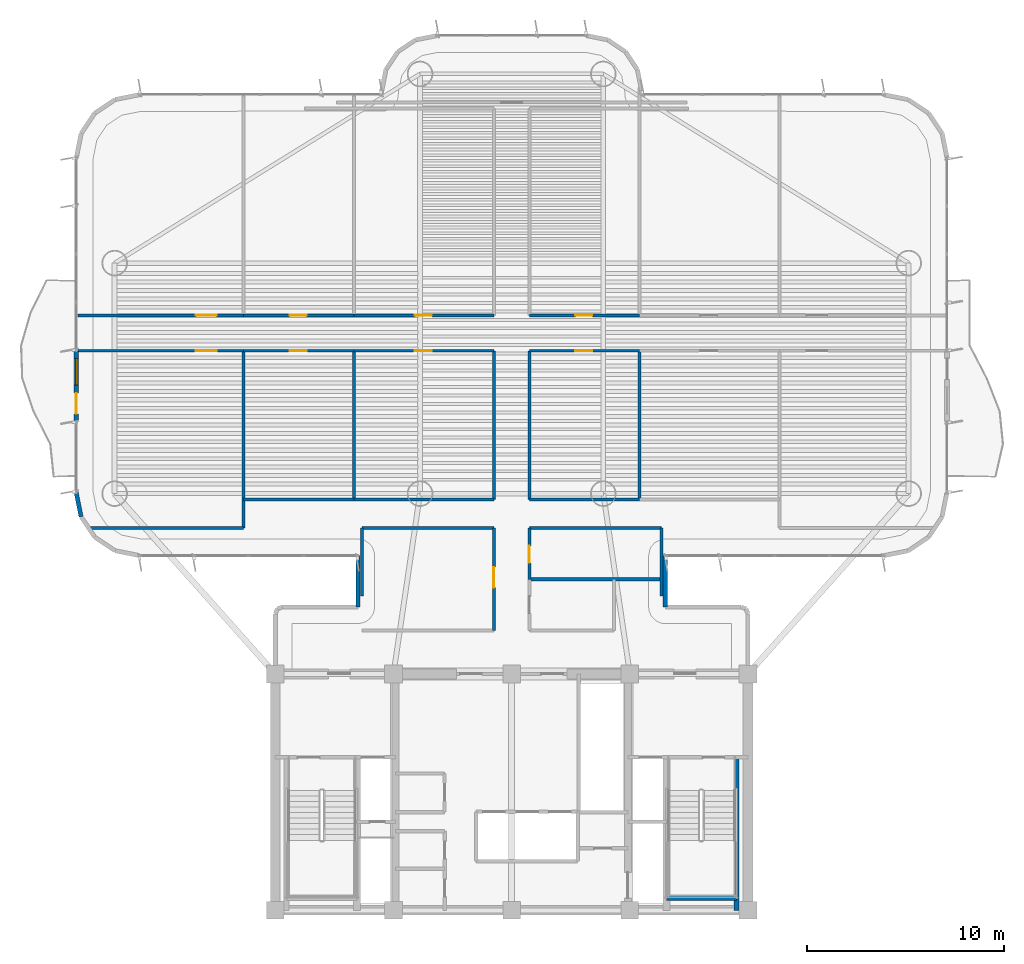
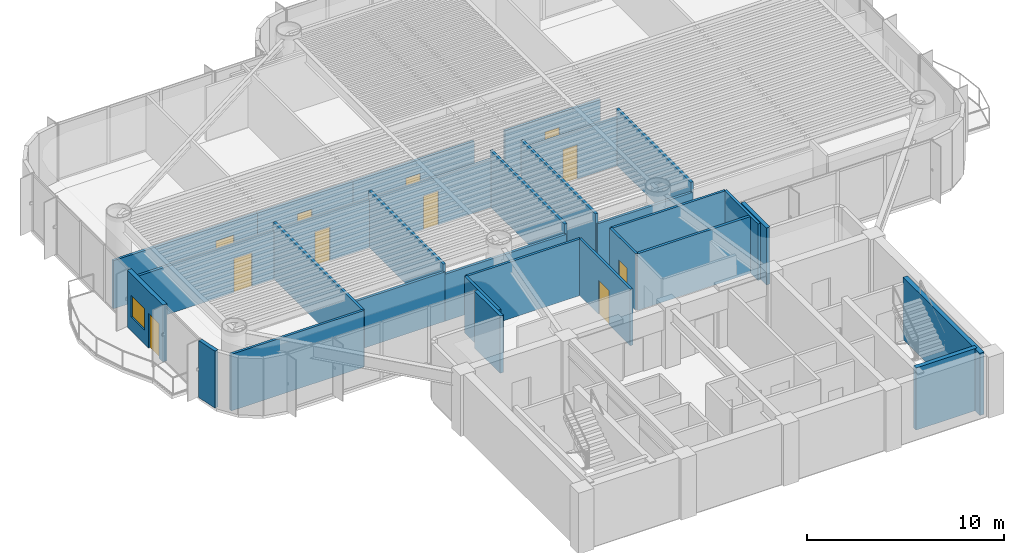
# One storey, part 10 of 16: 30 walls, 11 doors, 1 window, 12 openings.
"""IFC4 building model written with IfcOpenShell, lengths in metres."""

from ifc_helpers import new_model, si_unit, direction, frame, frame_2d, origin, origin_2d, place, context, subcontext, project, spatial, rectangle, extrude, source, transform, mapped, material, layer, layer_set, type_object, element, fill, save


model = new_model("IFC4")

# Units and contexts
model_context = context("Model", 3, precision=1e-05, world=origin(), true_north=direction((0.0, 1.0)))
body_context = subcontext(model_context, "Body", "Model", "MODEL_VIEW")
ifc_project = project(units=[si_unit("LENGTHUNIT", "METRE"), si_unit("AREAUNIT", "SQUARE_METRE"), si_unit("VOLUMEUNIT", "CUBIC_METRE"), si_unit("PLANEANGLEUNIT", "RADIAN"), si_unit("MASSUNIT", "GRAM", prefix="KILO")], contexts=[model_context])

# Site, building, storey
site_placement = place(None, origin())
site = spatial("IfcSite", under=ifc_project, at=site_placement, CompositionType="ELEMENT")
building_placement = place(site_placement, origin())
building = spatial("IfcBuilding", under=site, at=building_placement, Name="Brelvock Crest Care Tower", CompositionType="ELEMENT")
storey_placement = place(building_placement, frame((0.0, 0.0, 120.06005859375)))
storey = spatial("IfcBuildingStorey", under=building, at=storey_placement, Name="L30", CompositionType="ELEMENT", Elevation=120.06005859375)

# Walls
ifc_material_1 = material(Name="Concrete S80 (80 MPa)", Category="concrete")
ifc_layer_1 = layer(ifc_material_1, 0.25, Name="WL-CS6")
ifc_layer_set_1 = layer_set([ifc_layer_1], Name="Concrete S80 (80 MPa)")
wall_type_1 = type_object("IfcWallType", Name="WL-CS6", PredefinedType="SHEAR", material=ifc_layer_set_1)
wall_1_placement = place(storey_placement, frame((47.419921875, 6.0, 0.0), z_axis=(0.0, 0.0, 1.0), x_axis=(0.0, 1.0, 0.0)))
element("IfcWall", 1, at=wall_1_placement, inside=storey, type_object=wall_type_1, Name="L30 Core Stair ST-2 East Shear Wall", PredefinedType="SHEAR", context=body_context, shape_type="SweptSolid", body=[
    extrude(rectangle(XDim=7.780029296875, YDim=0.25, at=frame_2d((3.89013671875, 0.0))), origin(), (0.0, 0.0, 1.0), 3.849853515625),
])
wall_2_placement = place(storey_placement, frame((43.85009765625, 6.6201171875, 0.0), z_axis=(0.0, 0.0, 1.0), x_axis=(1.0, 0.0, 0.0)))
element("IfcWall", 2, at=wall_2_placement, inside=storey, type_object=wall_type_1, Name="L30 Core Stair ST-2 South Shear Wall", PredefinedType="SHEAR", context=body_context, shape_type="SweptSolid", body=[
    extrude(rectangle(XDim=3.56982421875, YDim=0.25, at=frame_2d((1.784912109375, 0.0))), origin(), (0.0, 0.0, 1.0), 3.849853515625),
])

# Wall, openings, door, window
ifc_material_2 = material(Name="Precast concrete N40 (40 MPa)", Category="concrete")
ifc_layer_2 = layer(ifc_material_2, 0.239990234375, Name="WL-EX1")
ifc_layer_set_2 = layer_set([ifc_layer_2], Name="Precast concrete N40 (40 MPa)")
wall_type_2 = type_object("IfcWallType", Name="WL-EX1", PredefinedType="SOLIDWALL", material=ifc_layer_set_2)
wall_3_placement = place(storey_placement, frame((13.89990234375, 30.800048828125, 0.0), z_axis=(0.0, 0.0, 1.0), x_axis=(0.0, 1.0, 0.0)))
wall_3 = element("IfcWall", 3, at=wall_3_placement, inside=storey, type_object=wall_type_2, Name="L30 Exterior Spandrel Wall WL-BAL-L30-W", PredefinedType="SOLIDWALL", context=body_context, shape_type="SweptSolid", body=[
    extrude(rectangle(XDim=3.599853515625, YDim=0.239990234375, at=frame_2d((1.7998046875, 0.0))), origin(), (0.0, 0.0, 1.0), 3.530029296875),
])
opening_1_placement = place(wall_3_placement, frame((0.39990234375, 0.0, 0.0)))
opening_1 = element("IfcOpeningElement", 4, at=opening_1_placement, cuts=wall_3, Name="Opening BD-1", PredefinedType="OPENING", context=body_context, shape_type="SweptSolid", body=[
    extrude(rectangle(XDim=1.050048828125, YDim=2.14990234375, at=origin_2d()), frame((0.52490234375, 0.1298828125, 1.074951171875), z_axis=(0.0, -1.0, 0.0), x_axis=(1.0, 0.0, 0.0)), (0.0, 0.0, 1.0), 0.260009765625),
])
opening_2_placement = place(wall_3_placement, frame((1.85009765625, 0.0, 0.85009765625)))
opening_2 = element("IfcOpeningElement", 5, at=opening_2_placement, cuts=wall_3, Name="Opening W-01", PredefinedType="OPENING", context=body_context, shape_type="SweptSolid", body=[
    extrude(rectangle(XDim=1.35009765625, YDim=1.35009765625, at=origin_2d()), frame((0.675048828125, 0.1298828125, 0.675048828125), z_axis=(0.0, -1.0, 0.0), x_axis=(1.0, 0.0, 0.0)), (0.0, 0.0, 1.0), 0.260009765625),
])
ifc_material_3 = material(Name="Dark Glass Double Glazed Low-E", Category="glass")
door_type_1 = type_object("IfcDoorType", Name="DR-BAL1", OperationType="NOTDEFINED", PredefinedType="DOOR", material=ifc_material_3)
shared_shape_1 = source(origin(), body_context, "Body", "SweptSolid", [
    extrude(rectangle(XDim=1.050048828125, YDim=2.14990234375, at=origin_2d()), frame((0.52490234375, 0.02490234375, 1.074951171875), z_axis=(0.0, -1.0, 0.0), x_axis=(1.0, 0.0, 0.0)), (0.0, 0.0, 1.0), 0.050048828125),
])
door_1_placement = place(opening_1_placement, origin())
door_1 = element("IfcDoor", 6, at=door_1_placement, inside=storey, type_object=door_type_1, Name="L30 W Wave Balcony Glazed Door", OperationType="SINGLE_SWING_LEFT", OverallHeight=2.14990234375, OverallWidth=1.050048828125, PredefinedType="DOOR", context=body_context, shape_type="MappedRepresentation", body=[
    mapped(shared_shape_1, transform((0.0, 0.0, 0.0), x_axis=(1.0, 0.0, 0.0), y_axis=(0.0, 1.0, 0.0), z_axis=(0.0, 0.0, 1.0), scale=1.0)),
])
fill(opening_1, door_1)
window_type = type_object("IfcWindowType", Name="WN-EX1", PartitioningType="SINGLE_PANEL", PredefinedType="WINDOW", material=ifc_material_3)
shared_shape_2 = source(origin(), body_context, "Body", "SweptSolid", [
    extrude(rectangle(XDim=1.35009765625, YDim=1.35009765625, at=origin_2d()), frame((0.675048828125, 0.030029296875, 0.675048828125), z_axis=(0.0, -1.0, 0.0), x_axis=(1.0, 0.0, 0.0)), (0.0, 0.0, 1.0), 0.06005859375),
])
window_placement = place(opening_2_placement, origin())
window = element("IfcWindow", 7, at=window_placement, inside=storey, type_object=window_type, Name="L30 W Suite Casement Window", OverallHeight=1.35009765625, OverallWidth=1.35009765625, PartitioningType="SINGLE_PANEL", PredefinedType="WINDOW", context=body_context, shape_type="MappedRepresentation", body=[
    mapped(shared_shape_2, transform((0.0, 0.0, 0.0), x_axis=(1.0, 0.0, 0.0), y_axis=(0.0, 1.0, 0.0), z_axis=(0.0, 0.0, 1.0), scale=1.0)),
])
fill(opening_2, window)

# Walls
ifc_layer_3 = layer(ifc_material_2, 0.215087890625, Name="WL-EX2")
ifc_layer_set_3 = layer_set([ifc_layer_3], Name="Precast concrete N40 (40 MPa)")
wall_type_3 = type_object("IfcWallType", Name="WL-EX2", PredefinedType="SOLIDWALL", material=ifc_layer_set_3)
wall_4_placement = place(storey_placement, frame((28.199951171875, 21.39990234375, 0.0), z_axis=(0.0, 0.0, 1.0), x_axis=(0.0, 1.0, 0.0)))
element("IfcWall", 8, at=wall_4_placement, inside=storey, type_object=wall_type_3, Name="L30 Rounded Corner Wall 11", PredefinedType="SOLIDWALL", context=body_context, shape_type="SweptSolid", body=[
    extrude(rectangle(XDim=2.60009765625, YDim=0.215087890625, at=frame_2d((1.300048828125, 0.0))), origin(), (0.0, 0.0, 1.0), 3.530029296875),
])
wall_5_placement = place(storey_placement, frame((14.1435546875, 25.975341796875, 0.0), z_axis=(0.0, 0.0, 1.0), x_axis=(-0.195138390419, 0.980775717779, 0.0)))
element("IfcWall", 9, at=wall_5_placement, inside=storey, type_object=wall_type_3, Name="L30 Rounded Corner Wall 16", PredefinedType="SOLIDWALL", context=body_context, shape_type="SweptSolid", body=[
    extrude(rectangle(XDim=1.24853515625, YDim=0.215087890625, at=frame_2d((0.624267578125, 0.0))), origin(), (0.0, 0.0, 1.0), 3.530029296875),
])
wall_6_placement = place(storey_placement, frame((43.800048828125, 24.0, 0.0), z_axis=(0.0, 0.0, 1.0), x_axis=(0.0, -1.0, 0.0)))
element("IfcWall", 10, at=wall_6_placement, inside=storey, type_object=wall_type_3, Name="L30 Rounded Corner Wall 45", PredefinedType="SOLIDWALL", context=body_context, shape_type="SweptSolid", body=[
    extrude(rectangle(XDim=2.60009765625, YDim=0.215087890625, at=frame_2d((1.300048828125, 0.0))), origin(), (0.0, 0.0, 1.0), 3.530029296875),
])
ifc_material_4 = material(Name="Masonry Blockwork Acoustic Partition", Category="masonry")
ifc_layer_4 = layer(ifc_material_4, 0.14990234375, Name="WL-INT1")
ifc_layer_set_4 = layer_set([ifc_layer_4], Name="Masonry Blockwork Acoustic Partition")
wall_type_4 = type_object("IfcWallType", Name="WL-INT1", PredefinedType="PARTITIONING", material=ifc_layer_set_4)
wall_7_placement = place(storey_placement, frame((14.624267578125, 25.39990234375, 0.0), z_axis=(0.0, 0.0, 1.0), x_axis=(1.0, 0.0, 0.0)))
element("IfcWall", 11, at=wall_7_placement, inside=storey, type_object=wall_type_4, Name="L30 Interior Wall WL-BX-L30-SW-S2", PredefinedType="PARTITIONING", context=body_context, shape_type="SweptSolid", body=[
    extrude(rectangle(XDim=7.775634765625, YDim=0.14990234375, at=frame_2d((3.8876953125, 0.0))), origin(), (0.0, 0.0, 1.0), 3.5),
])
for number, where, z_axis, x_axis, name in (
    (12, (28.39990234375, 25.39990234375, 0.0), (0.0, 0.0, 1.0), (1.0, 0.0, 0.0), "L30 Interior Wall WL-BX-L30-THW-N"),
    (13, (36.89990234375, 25.39990234375, 0.0), (0.0, 0.0, 1.0), (1.0, 0.0, 0.0), "L30 Interior Wall WL-BX-L30-THE2-N"),
):
    element("IfcWall", number, at=place(storey_placement, frame(where, z_axis=z_axis, x_axis=x_axis)), inside=storey, type_object=wall_type_4, Name=name, PredefinedType="PARTITIONING", context=body_context, shape_type="SweptSolid", body=[
        extrude(rectangle(XDim=6.7001953125, YDim=0.14990234375, at=frame_2d((3.35009765625, 0.0))), origin(), (0.0, 0.0, 1.0), 3.5),
    ])
wall_8_placement = place(storey_placement, frame((22.39990234375, 26.85009765625, 0.0), z_axis=(0.0, 0.0, 1.0), x_axis=(1.0, 0.0, 0.0)))
element("IfcWall", 14, at=wall_8_placement, inside=storey, type_object=wall_type_4, Name="L30 Interior Wall WL-BX-L30-ISW1-S", PredefinedType="PARTITIONING", context=body_context, shape_type="SweptSolid", body=[
    extrude(rectangle(XDim=5.588134765625, YDim=0.14990234375, at=frame_2d((2.7939453125, 0.0))), origin(), (0.0, 0.0, 1.0), 3.054931640625),
])
wall_9_placement = place(storey_placement, frame((27.988037109375, 26.85009765625, 0.0), z_axis=(0.0, 0.0, 1.0), x_axis=(1.0, 0.0, 0.0)))
element("IfcWall", 15, at=wall_9_placement, inside=storey, type_object=wall_type_4, Name="L30 Interior Wall WL-BX-L30-ISW2-S", PredefinedType="PARTITIONING", context=body_context, shape_type="SweptSolid", body=[
    extrude(rectangle(XDim=7.112060546875, YDim=0.14990234375, at=frame_2d((3.55615234375, 0.0))), origin(), (0.0, 0.0, 1.0), 2.90283203125),
])
wall_10_placement = place(storey_placement, frame((36.89990234375, 26.85009765625, 0.0), z_axis=(0.0, 0.0, 1.0), x_axis=(1.0, 0.0, 0.0)))
element("IfcWall", 16, at=wall_10_placement, inside=storey, type_object=wall_type_4, Name="L30 Interior Wall WL-BX-L30-ISE1-S", PredefinedType="PARTITIONING", context=body_context, shape_type="SweptSolid", body=[
    extrude(rectangle(XDim=5.588134765625, YDim=0.14990234375, at=frame_2d((2.7939453125, 0.0))), origin(), (0.0, 0.0, 1.0), 2.90283203125),
])

# Wall, opening, door
wall_11_placement = place(storey_placement, frame((13.97998046875, 34.39990234375, 0.0), z_axis=(0.0, 0.0, 1.0), x_axis=(1.0, 0.0, 0.0)))
wall_11 = element("IfcWall", 17, at=wall_11_placement, inside=storey, type_object=wall_type_4, Name="L30 Interior Wall WL-RM-L30-SW", PredefinedType="PARTITIONING", context=body_context, shape_type="SweptSolid", body=[
    extrude(rectangle(XDim=8.419921875, YDim=0.14990234375, at=frame_2d((4.2099609375, 0.0))), origin(), (0.0, 0.0, 1.0), 2.98193359375),
])
opening_3_placement = place(wall_11_placement, frame((5.9951171875, 0.0, 0.0)))
opening_3 = element("IfcOpeningElement", 18, at=opening_3_placement, cuts=wall_11, Name="Opening CLD-1", PredefinedType="OPENING", context=body_context, shape_type="SweptSolid", body=[
    extrude(rectangle(XDim=1.050048828125, YDim=2.10009765625, at=origin_2d()), frame((0.52490234375, 0.0849609375, 1.050048828125), z_axis=(0.0, -1.0, 0.0), x_axis=(1.0, 0.0, 0.0)), (0.0, 0.0, 1.0), 0.169921875),
])
ifc_material_5 = material(Name="Engineered Hardwood Timber", Category="wood")
door_type_2 = type_object("IfcDoorType", Name="DR-CLN1", OperationType="NOTDEFINED", PredefinedType="DOOR", material=ifc_material_5)
shared_shape_3 = source(origin(), body_context, "Body", "SweptSolid", [
    extrude(rectangle(XDim=1.050048828125, YDim=2.10009765625, at=origin_2d()), frame((0.52490234375, 0.02490234375, 1.050048828125), z_axis=(0.0, -1.0, 0.0), x_axis=(1.0, 0.0, 0.0)), (0.0, 0.0, 1.0), 0.050048828125),
])
door_2_placement = place(opening_3_placement, origin())
door_2 = element("IfcDoor", 19, at=door_2_placement, inside=storey, type_object=door_type_2, Name="L30 Senior Creative Art Workshop Door SW", OperationType="SINGLE_SWING_LEFT", OverallHeight=2.10009765625, OverallWidth=1.050048828125, PredefinedType="DOOR", context=body_context, shape_type="MappedRepresentation", body=[
    mapped(shared_shape_3, transform((0.0, 0.0, 0.0), x_axis=(1.0, 0.0, 0.0), y_axis=(0.0, 1.0, 0.0), z_axis=(0.0, 0.0, 1.0), scale=1.0)),
])
fill(opening_3, door_2)

wall_12_placement = place(storey_placement, frame((22.39990234375, 34.39990234375, 0.0), z_axis=(0.0, 0.0, 1.0), x_axis=(1.0, 0.0, 0.0)))
wall_12 = element("IfcWall", 20, at=wall_12_placement, inside=storey, type_object=wall_type_4, Name="L30 Interior Wall WL-RM-L30-ISW1", PredefinedType="PARTITIONING", context=body_context, shape_type="SweptSolid", body=[
    extrude(rectangle(XDim=5.588134765625, YDim=0.14990234375, at=frame_2d((2.7939453125, 0.0))), origin(), (0.0, 0.0, 1.0), 2.98193359375),
])
opening_4_placement = place(wall_12_placement, frame((2.333984375, 0.0, 0.0)))
opening_4 = element("IfcOpeningElement", 21, at=opening_4_placement, cuts=wall_12, Name="Opening ID-1", PredefinedType="OPENING", context=body_context, shape_type="SweptSolid", body=[
    extrude(rectangle(XDim=0.860107421875, YDim=2.10009765625, at=origin_2d()), frame((0.43017578125, 0.0849609375, 1.050048828125), z_axis=(0.0, -1.0, 0.0), x_axis=(1.0, 0.0, 0.0)), (0.0, 0.0, 1.0), 0.169921875),
])
door_type_3 = type_object("IfcDoorType", Name="DR-INT1", OperationType="NOTDEFINED", PredefinedType="DOOR", material=ifc_material_5)
shared_shape_4 = source(origin(), body_context, "Body", "SweptSolid", [
    extrude(rectangle(XDim=0.860107421875, YDim=2.10009765625, at=origin_2d()), frame((0.43017578125, 0.02490234375, 1.050048828125), z_axis=(0.0, -1.0, 0.0), x_axis=(1.0, 0.0, 0.0)), (0.0, 0.0, 1.0), 0.050048828125),
])
door_3_placement = place(opening_4_placement, origin())
door_3 = element("IfcDoor", 22, at=door_3_placement, inside=storey, type_object=door_type_3, Name="L30 Resident Music and Bridge Room Door ISW1", OperationType="SINGLE_SWING_LEFT", OverallHeight=2.10009765625, OverallWidth=0.860107421875, PredefinedType="DOOR", context=body_context, shape_type="MappedRepresentation", body=[
    mapped(shared_shape_4, transform((0.0, 0.0, 0.0), x_axis=(1.0, 0.0, 0.0), y_axis=(0.0, 1.0, 0.0), z_axis=(0.0, 0.0, 1.0), scale=1.0)),
])
fill(opening_4, door_3)

wall_13_placement = place(storey_placement, frame((27.988037109375, 34.39990234375, 0.0), z_axis=(0.0, 0.0, 1.0), x_axis=(1.0, 0.0, 0.0)))
wall_13 = element("IfcWall", 23, at=wall_13_placement, inside=storey, type_object=wall_type_4, Name="L30 Interior Wall WL-RM-L30-ISW2", PredefinedType="PARTITIONING", context=body_context, shape_type="SweptSolid", body=[
    extrude(rectangle(XDim=7.112060546875, YDim=0.14990234375, at=frame_2d((3.55615234375, 0.0))), origin(), (0.0, 0.0, 1.0), 2.98193359375),
])
opening_5_placement = place(wall_13_placement, frame((3.095947265625, 0.0, 0.0)))
opening_5 = element("IfcOpeningElement", 24, at=opening_5_placement, cuts=wall_13, Name="Opening ID-1", PredefinedType="OPENING", context=body_context, shape_type="SweptSolid", body=[
    extrude(rectangle(XDim=0.860107421875, YDim=2.10009765625, at=origin_2d()), frame((0.43017578125, 0.0849609375, 1.050048828125), z_axis=(0.0, -1.0, 0.0), x_axis=(1.0, 0.0, 0.0)), (0.0, 0.0, 1.0), 0.169921875),
])
door_4_placement = place(opening_5_placement, origin())
door_4 = element("IfcDoor", 25, at=door_4_placement, inside=storey, type_object=door_type_3, Name="L30 Senior Telehealth Study Door ISW2", OperationType="SINGLE_SWING_LEFT", OverallHeight=2.10009765625, OverallWidth=0.860107421875, PredefinedType="DOOR", context=body_context, shape_type="MappedRepresentation", body=[
    mapped(shared_shape_4, transform((0.0, 0.0, 0.0), x_axis=(1.0, 0.0, 0.0), y_axis=(0.0, 1.0, 0.0), z_axis=(0.0, 0.0, 1.0), scale=1.0)),
])
fill(opening_5, door_4)

wall_14_placement = place(storey_placement, frame((36.89990234375, 34.39990234375, 0.0), z_axis=(0.0, 0.0, 1.0), x_axis=(1.0, 0.0, 0.0)))
wall_14 = element("IfcWall", 26, at=wall_14_placement, inside=storey, type_object=wall_type_4, Name="L30 Interior Wall WL-RM-L30-ISE1", PredefinedType="PARTITIONING", context=body_context, shape_type="SweptSolid", body=[
    extrude(rectangle(XDim=5.588134765625, YDim=0.14990234375, at=frame_2d((2.7939453125, 0.0))), origin(), (0.0, 0.0, 1.0), 2.98193359375),
])
opening_6_placement = place(wall_14_placement, frame((2.333984375, 0.0, 0.0)))
opening_6 = element("IfcOpeningElement", 27, at=opening_6_placement, cuts=wall_14, Name="Opening ID-1", PredefinedType="OPENING", context=body_context, shape_type="SweptSolid", body=[
    extrude(rectangle(XDim=0.860107421875, YDim=2.10009765625, at=origin_2d()), frame((0.43017578125, 0.0849609375, 1.050048828125), z_axis=(0.0, -1.0, 0.0), x_axis=(1.0, 0.0, 0.0)), (0.0, 0.0, 1.0), 0.169921875),
])
door_5_placement = place(opening_6_placement, origin())
door_5 = element("IfcDoor", 28, at=door_5_placement, inside=storey, type_object=door_type_3, Name="L30 Resident Music and Bridge Room Door ISE1", OperationType="SINGLE_SWING_LEFT", OverallHeight=2.10009765625, OverallWidth=0.860107421875, PredefinedType="DOOR", context=body_context, shape_type="MappedRepresentation", body=[
    mapped(shared_shape_4, transform((0.0, 0.0, 0.0), x_axis=(1.0, 0.0, 0.0), y_axis=(0.0, 1.0, 0.0), z_axis=(0.0, 0.0, 1.0), scale=1.0)),
])
fill(opening_6, door_5)

wall_15_placement = place(storey_placement, frame((13.97998046875, 36.199951171875, 0.0), z_axis=(0.0, 0.0, 1.0), x_axis=(1.0, 0.0, 0.0)))
wall_15 = element("IfcWall", 29, at=wall_15_placement, inside=storey, type_object=wall_type_4, Name="L30 Interior Wall WL-RM-L30-NW", PredefinedType="PARTITIONING", context=body_context, shape_type="SweptSolid", body=[
    extrude(rectangle(XDim=8.419921875, YDim=0.14990234375, at=frame_2d((4.2099609375, 0.0))), origin(), (0.0, 0.0, 1.0), 2.98193359375),
])
opening_7_placement = place(wall_15_placement, frame((5.9951171875, 0.0, 0.0)))
opening_7 = element("IfcOpeningElement", 30, at=opening_7_placement, cuts=wall_15, Name="Opening CLD-1", PredefinedType="OPENING", context=body_context, shape_type="SweptSolid", body=[
    extrude(rectangle(XDim=1.050048828125, YDim=2.10009765625, at=origin_2d()), frame((0.52490234375, 0.0849609375, 1.050048828125), z_axis=(0.0, -1.0, 0.0), x_axis=(1.0, 0.0, 0.0)), (0.0, 0.0, 1.0), 0.169921875),
])
door_6_placement = place(opening_7_placement, origin())
door_6 = element("IfcDoor", 31, at=door_6_placement, inside=storey, type_object=door_type_2, Name="L30 Senior Creative Art Workshop Door NW", OperationType="SINGLE_SWING_LEFT", OverallHeight=2.10009765625, OverallWidth=1.050048828125, PredefinedType="DOOR", context=body_context, shape_type="MappedRepresentation", body=[
    mapped(shared_shape_3, transform((0.0, 0.0, 0.0), x_axis=(1.0, 0.0, 0.0), y_axis=(0.0, 1.0, 0.0), z_axis=(0.0, 0.0, 1.0), scale=1.0)),
])
fill(opening_7, door_6)

wall_16_placement = place(storey_placement, frame((22.39990234375, 36.199951171875, 0.0), z_axis=(0.0, 0.0, 1.0), x_axis=(1.0, 0.0, 0.0)))
wall_16 = element("IfcWall", 32, at=wall_16_placement, inside=storey, type_object=wall_type_4, Name="L30 Interior Wall WL-RM-L30-INW1", PredefinedType="PARTITIONING", context=body_context, shape_type="SweptSolid", body=[
    extrude(rectangle(XDim=5.588134765625, YDim=0.14990234375, at=frame_2d((2.7939453125, 0.0))), origin(), (0.0, 0.0, 1.0), 2.98193359375),
])
opening_8_placement = place(wall_16_placement, frame((2.333984375, 0.0, 0.0)))
opening_8 = element("IfcOpeningElement", 33, at=opening_8_placement, cuts=wall_16, Name="Opening ID-1", PredefinedType="OPENING", context=body_context, shape_type="SweptSolid", body=[
    extrude(rectangle(XDim=0.860107421875, YDim=2.10009765625, at=origin_2d()), frame((0.43017578125, 0.0849609375, 1.050048828125), z_axis=(0.0, -1.0, 0.0), x_axis=(1.0, 0.0, 0.0)), (0.0, 0.0, 1.0), 0.169921875),
])
door_7_placement = place(opening_8_placement, origin())
door_7 = element("IfcDoor", 34, at=door_7_placement, inside=storey, type_object=door_type_3, Name="L30 Resident Music and Bridge Room Door INW1", OperationType="SINGLE_SWING_LEFT", OverallHeight=2.10009765625, OverallWidth=0.860107421875, PredefinedType="DOOR", context=body_context, shape_type="MappedRepresentation", body=[
    mapped(shared_shape_4, transform((0.0, 0.0, 0.0), x_axis=(1.0, 0.0, 0.0), y_axis=(0.0, 1.0, 0.0), z_axis=(0.0, 0.0, 1.0), scale=1.0)),
])
fill(opening_8, door_7)

wall_17_placement = place(storey_placement, frame((27.988037109375, 36.199951171875, 0.0), z_axis=(0.0, 0.0, 1.0), x_axis=(1.0, 0.0, 0.0)))
wall_17 = element("IfcWall", 35, at=wall_17_placement, inside=storey, type_object=wall_type_4, Name="L30 Interior Wall WL-RM-L30-INW2", PredefinedType="PARTITIONING", context=body_context, shape_type="SweptSolid", body=[
    extrude(rectangle(XDim=7.112060546875, YDim=0.14990234375, at=frame_2d((3.55615234375, 0.0))), origin(), (0.0, 0.0, 1.0), 2.98193359375),
])
opening_9_placement = place(wall_17_placement, frame((3.095947265625, 0.0, 0.0)))
opening_9 = element("IfcOpeningElement", 36, at=opening_9_placement, cuts=wall_17, Name="Opening ID-1", PredefinedType="OPENING", context=body_context, shape_type="SweptSolid", body=[
    extrude(rectangle(XDim=0.860107421875, YDim=2.10009765625, at=origin_2d()), frame((0.43017578125, 0.0849609375, 1.050048828125), z_axis=(0.0, -1.0, 0.0), x_axis=(1.0, 0.0, 0.0)), (0.0, 0.0, 1.0), 0.169921875),
])
door_8_placement = place(opening_9_placement, origin())
door_8 = element("IfcDoor", 37, at=door_8_placement, inside=storey, type_object=door_type_3, Name="L30 Senior Telehealth Study Door INW2", OperationType="SINGLE_SWING_LEFT", OverallHeight=2.10009765625, OverallWidth=0.860107421875, PredefinedType="DOOR", context=body_context, shape_type="MappedRepresentation", body=[
    mapped(shared_shape_4, transform((0.0, 0.0, 0.0), x_axis=(1.0, 0.0, 0.0), y_axis=(0.0, 1.0, 0.0), z_axis=(0.0, 0.0, 1.0), scale=1.0)),
])
fill(opening_9, door_8)

wall_18_placement = place(storey_placement, frame((36.89990234375, 36.199951171875, 0.0), z_axis=(0.0, 0.0, 1.0), x_axis=(1.0, 0.0, 0.0)))
wall_18 = element("IfcWall", 38, at=wall_18_placement, inside=storey, type_object=wall_type_4, Name="L30 Interior Wall WL-RM-L30-INE1", PredefinedType="PARTITIONING", context=body_context, shape_type="SweptSolid", body=[
    extrude(rectangle(XDim=5.588134765625, YDim=0.14990234375, at=frame_2d((2.7939453125, 0.0))), origin(), (0.0, 0.0, 1.0), 2.98193359375),
])
opening_10_placement = place(wall_18_placement, frame((2.333984375, 0.0, 0.0)))
opening_10 = element("IfcOpeningElement", 39, at=opening_10_placement, cuts=wall_18, Name="Opening ID-1", PredefinedType="OPENING", context=body_context, shape_type="SweptSolid", body=[
    extrude(rectangle(XDim=0.860107421875, YDim=2.10009765625, at=origin_2d()), frame((0.43017578125, 0.0849609375, 1.050048828125), z_axis=(0.0, -1.0, 0.0), x_axis=(1.0, 0.0, 0.0)), (0.0, 0.0, 1.0), 0.169921875),
])
door_9_placement = place(opening_10_placement, origin())
door_9 = element("IfcDoor", 40, at=door_9_placement, inside=storey, type_object=door_type_3, Name="L30 Resident Music and Bridge Room Door INE1", OperationType="SINGLE_SWING_LEFT", OverallHeight=2.10009765625, OverallWidth=0.860107421875, PredefinedType="DOOR", context=body_context, shape_type="MappedRepresentation", body=[
    mapped(shared_shape_4, transform((0.0, 0.0, 0.0), x_axis=(1.0, 0.0, 0.0), y_axis=(0.0, 1.0, 0.0), z_axis=(0.0, 0.0, 1.0), scale=1.0)),
])
fill(opening_10, door_9)

# Walls
wall_19_placement = place(storey_placement, frame((22.39990234375, 25.39990234375, 0.0), z_axis=(0.0, 0.0, 1.0), x_axis=(0.0, 1.0, 0.0)))
element("IfcWall", 41, at=wall_19_placement, inside=storey, type_object=wall_type_4, Name="L30 Interior Wall WL-BX-L30-SW-E", PredefinedType="PARTITIONING", context=body_context, shape_type="SweptSolid", body=[
    extrude(rectangle(XDim=9.0, YDim=0.14990234375, at=frame_2d((4.5, 0.0))), origin(), (0.0, 0.0, 1.0), 3.5),
])
wall_20_placement = place(storey_placement, frame((27.988037109375, 26.85009765625, 0.0), z_axis=(0.0, 0.0, 1.0), x_axis=(0.0, 1.0, 0.0)))
element("IfcWall", 42, at=wall_20_placement, inside=storey, type_object=wall_type_4, Name="L30 Interior Wall WL-BX-L30-ISW1-E", PredefinedType="PARTITIONING", context=body_context, shape_type="SweptSolid", body=[
    extrude(rectangle(XDim=7.5498046875, YDim=0.14990234375, at=frame_2d((3.77490234375, 0.0))), origin(), (0.0, 0.0, 1.0), 3.5),
])
wall_21_placement = place(storey_placement, frame((28.39990234375, 21.957275390625, 0.0), z_axis=(0.0, 0.0, 1.0), x_axis=(0.0, 1.0, 0.0)))
element("IfcWall", 43, at=wall_21_placement, inside=storey, type_object=wall_type_4, Name="L30 Interior Wall WL-BX-L30-THW-W2", PredefinedType="PARTITIONING", context=body_context, shape_type="SweptSolid", body=[
    extrude(rectangle(XDim=3.442626953125, YDim=0.14990234375, at=frame_2d((1.72119140625, 0.0))), origin(), (0.0, 0.0, 1.0), 3.5),
])

# Wall, opening, door
wall_22_placement = place(storey_placement, frame((35.10009765625, 20.199951171875, 0.0), z_axis=(0.0, 0.0, 1.0), x_axis=(0.0, 1.0, 0.0)))
wall_22 = element("IfcWall", 44, at=wall_22_placement, inside=storey, type_object=wall_type_4, Name="L30 Interior Wall WL-RM-L30-THW", PredefinedType="PARTITIONING", context=body_context, shape_type="SweptSolid", body=[
    extrude(rectangle(XDim=5.199951171875, YDim=0.14990234375, at=frame_2d((2.60009765625, 0.0))), origin(), (0.0, 0.0, 1.0), 3.5),
])
opening_11_placement = place(wall_22_placement, frame((2.175048828125, 0.0, 0.0)))
opening_11 = element("IfcOpeningElement", 45, at=opening_11_placement, cuts=wall_22, Name="Opening CLD-1", PredefinedType="OPENING", context=body_context, shape_type="SweptSolid", body=[
    extrude(rectangle(XDim=1.050048828125, YDim=2.10009765625, at=origin_2d()), frame((0.52490234375, 0.0849609375, 1.050048828125), z_axis=(0.0, -1.0, 0.0), x_axis=(1.0, 0.0, 0.0)), (0.0, 0.0, 1.0), 0.169921875),
])
door_10_placement = place(opening_11_placement, origin())
door_10 = element("IfcDoor", 46, at=door_10_placement, inside=storey, type_object=door_type_2, Name="L30 Allied Health Consultation Room Door THW", OperationType="SINGLE_SWING_LEFT", OverallHeight=2.10009765625, OverallWidth=1.050048828125, PredefinedType="DOOR", context=body_context, shape_type="MappedRepresentation", body=[
    mapped(shared_shape_3, transform((0.0, 0.0, 0.0), x_axis=(1.0, 0.0, 0.0), y_axis=(0.0, 1.0, 0.0), z_axis=(0.0, 0.0, 1.0), scale=1.0)),
])
fill(opening_11, door_10)

# Wall
wall_23_placement = place(storey_placement, frame((35.10009765625, 26.85009765625, 0.0), z_axis=(0.0, 0.0, 1.0), x_axis=(0.0, 1.0, 0.0)))
element("IfcWall", 47, at=wall_23_placement, inside=storey, type_object=wall_type_4, Name="L30 Interior Wall WL-BX-L30-ISW2-E", PredefinedType="PARTITIONING", context=body_context, shape_type="SweptSolid", body=[
    extrude(rectangle(XDim=7.5498046875, YDim=0.14990234375, at=frame_2d((3.77490234375, 0.0))), origin(), (0.0, 0.0, 1.0), 3.5),
])

# Wall, opening, door
wall_24_placement = place(storey_placement, frame((36.89990234375, 22.800048828125, 0.0), z_axis=(0.0, 0.0, 1.0), x_axis=(0.0, 1.0, 0.0)))
wall_24 = element("IfcWall", 48, at=wall_24_placement, inside=storey, type_object=wall_type_4, Name="L30 Interior Wall WL-RM-L30-THE2", PredefinedType="PARTITIONING", context=body_context, shape_type="SweptSolid", body=[
    extrude(rectangle(XDim=2.599853515625, YDim=0.14990234375, at=frame_2d((1.2998046875, 0.0))), origin(), (0.0, 0.0, 1.0), 3.5),
])
opening_12_placement = place(wall_24_placement, frame((0.840087890625, 0.0, 0.0)))
opening_12 = element("IfcOpeningElement", 49, at=opening_12_placement, cuts=wall_24, Name="Opening ID-1", PredefinedType="OPENING", context=body_context, shape_type="SweptSolid", body=[
    extrude(rectangle(XDim=0.860107421875, YDim=2.10009765625, at=origin_2d()), frame((0.43017578125, 0.0849609375, 1.050048828125), z_axis=(0.0, -1.0, 0.0), x_axis=(1.0, 0.0, 0.0)), (0.0, 0.0, 1.0), 0.169921875),
])
door_11_placement = place(opening_12_placement, origin())
door_11 = element("IfcDoor", 50, at=door_11_placement, inside=storey, type_object=door_type_3, Name="L30 Care Coordinator Office Door THE2", OperationType="SINGLE_SWING_LEFT", OverallHeight=2.10009765625, OverallWidth=0.860107421875, PredefinedType="DOOR", context=body_context, shape_type="MappedRepresentation", body=[
    mapped(shared_shape_4, transform((0.0, 0.0, 0.0), x_axis=(1.0, 0.0, 0.0), y_axis=(0.0, 1.0, 0.0), z_axis=(0.0, 0.0, 1.0), scale=1.0)),
])
fill(opening_12, door_11)

# Walls
for number, where, z_axis, x_axis, name in (
    (51, (36.89990234375, 26.85009765625, 0.0), (0.0, 0.0, 1.0), (0.0, 1.0, 0.0), "L30 Interior Wall WL-BX-L30-ISE1-W"),
    (52, (42.488037109375, 26.85009765625, 0.0), (0.0, 0.0, 1.0), (0.0, 1.0, 0.0), "L30 Interior Wall WL-BX-L30-ISE1-E"),
):
    element("IfcWall", number, at=place(storey_placement, frame(where, z_axis=z_axis, x_axis=x_axis)), inside=storey, type_object=wall_type_4, Name=name, PredefinedType="PARTITIONING", context=body_context, shape_type="SweptSolid", body=[
        extrude(rectangle(XDim=7.5498046875, YDim=0.14990234375, at=frame_2d((3.77490234375, 0.0))), origin(), (0.0, 0.0, 1.0), 3.5),
    ])
wall_25_placement = place(storey_placement, frame((43.60009765625, 21.95751953125, 0.0), z_axis=(0.0, 0.0, 1.0), x_axis=(0.0, 1.0, 0.0)))
element("IfcWall", 53, at=wall_25_placement, inside=storey, type_object=wall_type_4, Name="L30 Interior Wall WL-BX-L30-THE2-E", PredefinedType="PARTITIONING", context=body_context, shape_type="SweptSolid", body=[
    extrude(rectangle(XDim=3.4423828125, YDim=0.14990234375, at=frame_2d((1.72119140625, 0.0))), origin(), (0.0, 0.0, 1.0), 3.5),
])
ifc_material_6 = material(Name="Gypsum Plasterboard Partition", Category="gypsum")
ifc_layer_5 = layer(ifc_material_6, 0.159912109375, Name="WL-PLM1")
ifc_layer_set_5 = layer_set([ifc_layer_5], Name="Gypsum Plasterboard Partition")
wall_type_5 = type_object("IfcWallType", Name="WL-PLM1", PredefinedType="PLUMBINGWALL", material=ifc_layer_set_5)
wall_26_placement = place(storey_placement, frame((36.89990234375, 22.800048828125, 0.0), z_axis=(0.0, 0.0, 1.0), x_axis=(1.0, 0.0, 0.0)))
element("IfcWall", 54, at=wall_26_placement, inside=storey, type_object=wall_type_5, Name="L30 Interior Wall WL-BX-L30-THE2-S", PredefinedType="PLUMBINGWALL", context=body_context, shape_type="SweptSolid", body=[
    extrude(rectangle(XDim=6.820068359375, YDim=0.159912109375, at=frame_2d((3.41015625, 0.0))), origin(), (0.0, 0.0, 1.0), 3.5),
])

save(model, "model.ifc")
